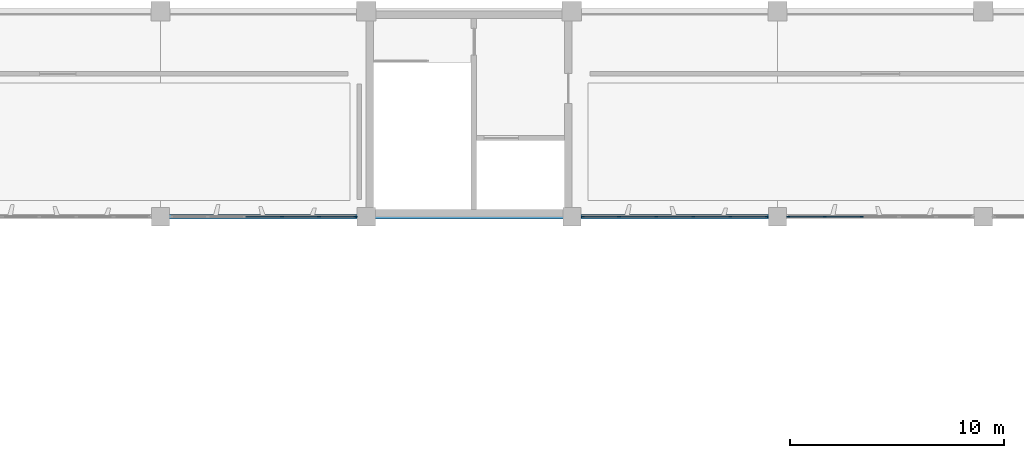
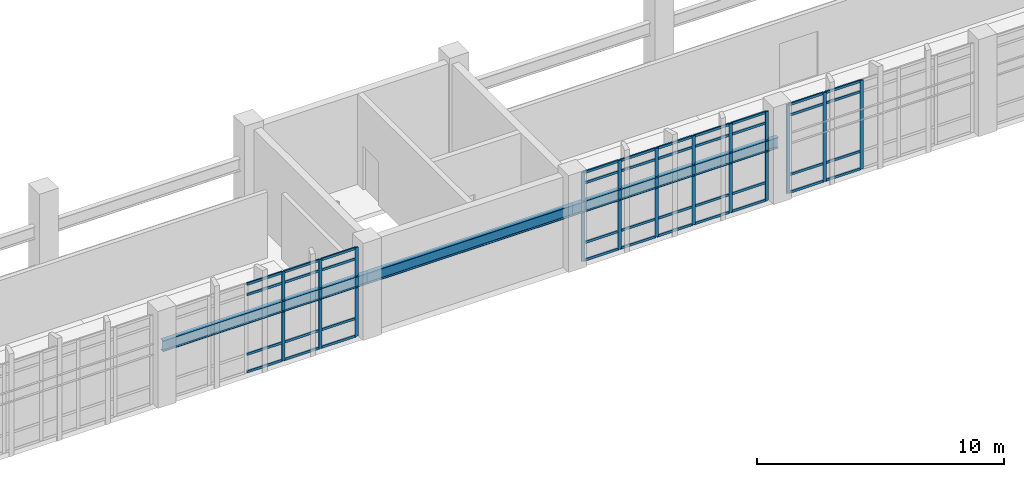
# One storey, part 28 of 86: 52 members, 3 beams, 3 elements without a shape of their own.
"""IFC4 building model written with IfcOpenShell, lengths in metres."""

from ifc_helpers import new_model, si_unit, direction, frame, origin, origin_2d, place, context, subcontext, project, spatial, rectangle, i_section, extrude, material, layer, layer_set, material_profile, profile_set, type_object, element, aggregate, save


model = new_model("IFC4")

# Units and contexts
model_context = context("Model", 3, precision=1e-05, world=origin(), true_north=direction((0.0, 1.0)))
body_context = subcontext(model_context, "Body", "Model", "MODEL_VIEW")
ifc_project = project(units=[si_unit("LENGTHUNIT", "METRE"), si_unit("AREAUNIT", "SQUARE_METRE"), si_unit("VOLUMEUNIT", "CUBIC_METRE"), si_unit("PLANEANGLEUNIT", "RADIAN"), si_unit("MASSUNIT", "GRAM", prefix="KILO")], contexts=[model_context])

# Site, building, storey
site_placement = place(None, origin())
site = spatial("IfcSite", under=ifc_project, at=site_placement, CompositionType="ELEMENT")
building_placement = place(site_placement, origin())
building = spatial("IfcBuilding", under=site, at=building_placement, Name="Kolvemor Railside Polytechnic", CompositionType="ELEMENT")
storey_placement = place(building_placement, frame((0.0, 0.0, 5.39990234375)))
storey = spatial("IfcBuildingStorey", under=building, at=storey_placement, Name="L01", CompositionType="ELEMENT", Elevation=5.39990234375)

# Beams
ifc_material_1 = material(Name="Steel S355", Category="steel")
ifc_material_profile_1 = material_profile(ifc_material_1, i_section(OverallWidth=0.2109375, OverallDepth=0.5390625, WebThickness=0.01171875, FlangeThickness=0.018798828125, FilletRadius=0.013916015625, at=origin_2d()), Name="W530x109")
ifc_profile_set_1 = profile_set([ifc_material_profile_1], Name="Steel S355")
beam_type = type_object("IfcBeamType", Name="BM-ST-CRANE2", PredefinedType="BEAM", material=ifc_profile_set_1)
beam_placement = place(storey_placement, frame((76.800048828125, 91.199951171875, 2.730712890625), z_axis=(1.0, 0.0, 0.0), x_axis=(0.0, 1.0, 0.0)))
element("IfcBeam", 1, at=beam_placement, inside=storey, type_object=beam_type, Name="Workshop Header Steel Girder CRG-G07", PredefinedType="BEAM", context=body_context, shape_type="SweptSolid", body=[
    extrude(i_section(OverallWidth=0.2109375, OverallDepth=0.5390625, WebThickness=0.01171875, FlangeThickness=0.018798828125, FilletRadius=0.013916015625, at=origin_2d()), origin(), (0.0, 0.0, 1.0), 9.599853515625),
])
for number, where, z_axis, x_axis, name in (
    (2, (86.39990234375, 91.199951171875, 2.730712890625), (1.0, 0.0, 0.0), (0.0, 1.0, 0.0), "Workshop Header Steel Girder CRG-G08"),
    (3, (96.0, 91.199951171875, 2.730712890625), (1.0, 0.0, 0.0), (0.0, 1.0, 0.0), "Workshop Header Steel Girder CRG-G09"),
):
    element("IfcBeam", number, at=place(storey_placement, frame(where, z_axis=z_axis, x_axis=x_axis)), inside=storey, type_object=beam_type, Name=name, PredefinedType="BEAM", context=body_context, shape_type="SweptSolid", body=[
        extrude(i_section(OverallWidth=0.2109375, OverallDepth=0.5390625, WebThickness=0.01171875, FlangeThickness=0.018798828125, FilletRadius=0.013916015625, at=origin_2d()), origin(), (0.0, 0.0, 1.0), 9.60009765625),
    ])

# Curtain wall, members
ifc_material_2 = material(Name="Anodised marine aluminium and laminated low-E glass", Category="aluminium")
ifc_layer = layer(ifc_material_2, 0.179931640625, Name="CW-UNIT-WKS")
ifc_layer_set = layer_set([ifc_layer], Name="Anodised marine aluminium and laminated low-E glass")
curtain_wall_type = type_object("IfcCurtainWallType", Name="CW-UNIT-WKS", PredefinedType="USERDEFINED", material=ifc_layer_set)
curtain_wall_1_placement = place(storey_placement, origin())
curtain_wall_1 = element("IfcCurtainWall", 4, at=curtain_wall_1_placement, inside=storey, type_object=curtain_wall_type, Name="Curtain Wall L01-014", ObjectType="UNITISED CURTAIN WALL", PredefinedType="USERDEFINED")
ifc_material_3 = material(Name="Anodised marine aluminium 6063-T6", Category="aluminium")
ifc_material_profile_2 = material_profile(ifc_material_3, rectangle(XDim=0.06494140625, YDim=0.14990234375, at=origin_2d()), Name="CW-MUL-65x150")
ifc_profile_set_2 = profile_set([ifc_material_profile_2], Name="Anodised marine aluminium 6063-T6")
member_type_1 = type_object("IfcMemberType", Name="CWM-65x150", PredefinedType="MULLION", material=ifc_profile_set_2)
member_1_placement = place(storey_placement, frame((82.466064453125, 91.199951171875, 0.0), z_axis=(0.0, 0.0, 1.0), x_axis=(0.0, 1.0, 0.0)))
member_1 = element("IfcMember", 5, at=member_1_placement, type_object=member_type_1, Name="CW-WKS mullion 4", PredefinedType="MULLION", context=body_context, shape_type="SweptSolid", body=[
    extrude(rectangle(XDim=0.06494140625, YDim=0.14990234375, at=origin_2d()), origin(), (0.0, 0.0, 1.0), 4.400146484375),
])
member_2_placement = place(storey_placement, frame((84.197998046875, 91.199951171875, 0.0), z_axis=(0.0, 0.0, 1.0), x_axis=(0.0, 1.0, 0.0)))
member_2 = element("IfcMember", 6, at=member_2_placement, type_object=member_type_1, Name="CW-WKS mullion 5", PredefinedType="MULLION", context=body_context, shape_type="SweptSolid", body=[
    extrude(rectangle(XDim=0.06494140625, YDim=0.14990234375, at=origin_2d()), origin(), (0.0, 0.0, 1.0), 4.400146484375),
])
member_3_placement = place(storey_placement, frame((85.8974609375, 91.199951171875, 0.0), z_axis=(0.0, 0.0, 1.0), x_axis=(0.0, 1.0, 0.0)))
member_3 = element("IfcMember", 7, at=member_3_placement, type_object=member_type_1, Name="CW-WKS mullion 6", PredefinedType="MULLION", context=body_context, shape_type="SweptSolid", body=[
    extrude(rectangle(XDim=0.06494140625, YDim=0.14990234375, at=origin_2d()), origin(), (0.0, 0.0, 1.0), 4.400146484375),
])

curtain_wall_2_placement = place(storey_placement, origin())
curtain_wall_2 = element("IfcCurtainWall", 8, at=curtain_wall_2_placement, inside=storey, type_object=curtain_wall_type, Name="Curtain Wall L01-018", ObjectType="UNITISED CURTAIN WALL", PredefinedType="USERDEFINED")
member_4_placement = place(storey_placement, frame((96.50244140625, 91.199951171875, 0.0), z_axis=(0.0, 0.0, 1.0), x_axis=(0.0, 1.0, 0.0)))
member_4 = element("IfcMember", 9, at=member_4_placement, type_object=member_type_1, Name="CW-WKS mullion 1", PredefinedType="MULLION", context=body_context, shape_type="SweptSolid", body=[
    extrude(rectangle(XDim=0.06494140625, YDim=0.14990234375, at=origin_2d()), origin(), (0.0, 0.0, 1.0), 4.400146484375),
])
member_5_placement = place(storey_placement, frame((98.201904296875, 91.199951171875, 0.0), z_axis=(0.0, 0.0, 1.0), x_axis=(0.0, 1.0, 0.0)))
member_5 = element("IfcMember", 10, at=member_5_placement, type_object=member_type_1, Name="CW-WKS mullion 2", PredefinedType="MULLION", context=body_context, shape_type="SweptSolid", body=[
    extrude(rectangle(XDim=0.06494140625, YDim=0.14990234375, at=origin_2d()), origin(), (0.0, 0.0, 1.0), 4.400146484375),
])
member_6_placement = place(storey_placement, frame((99.93408203125, 91.199951171875, 0.0), z_axis=(0.0, 0.0, 1.0), x_axis=(0.0, 1.0, 0.0)))
member_6 = element("IfcMember", 11, at=member_6_placement, type_object=member_type_1, Name="CW-WKS mullion 3", PredefinedType="MULLION", context=body_context, shape_type="SweptSolid", body=[
    extrude(rectangle(XDim=0.06494140625, YDim=0.14990234375, at=origin_2d()), origin(), (0.0, 0.0, 1.0), 4.400146484375),
])
member_7_placement = place(storey_placement, frame((101.666015625, 91.199951171875, 0.0), z_axis=(0.0, 0.0, 1.0), x_axis=(0.0, 1.0, 0.0)))
member_7 = element("IfcMember", 12, at=member_7_placement, type_object=member_type_1, Name="CW-WKS mullion 4", PredefinedType="MULLION", context=body_context, shape_type="SweptSolid", body=[
    extrude(rectangle(XDim=0.06494140625, YDim=0.14990234375, at=origin_2d()), origin(), (0.0, 0.0, 1.0), 4.400146484375),
])
member_8_placement = place(storey_placement, frame((103.39794921875, 91.199951171875, 0.0), z_axis=(0.0, 0.0, 1.0), x_axis=(0.0, 1.0, 0.0)))
member_8 = element("IfcMember", 13, at=member_8_placement, type_object=member_type_1, Name="CW-WKS mullion 5", PredefinedType="MULLION", context=body_context, shape_type="SweptSolid", body=[
    extrude(rectangle(XDim=0.06494140625, YDim=0.14990234375, at=origin_2d()), origin(), (0.0, 0.0, 1.0), 4.400146484375),
])
member_9_placement = place(storey_placement, frame((105.097412109375, 91.199951171875, 0.0), z_axis=(0.0, 0.0, 1.0), x_axis=(0.0, 1.0, 0.0)))
member_9 = element("IfcMember", 14, at=member_9_placement, type_object=member_type_1, Name="CW-WKS mullion 6", PredefinedType="MULLION", context=body_context, shape_type="SweptSolid", body=[
    extrude(rectangle(XDim=0.06494140625, YDim=0.14990234375, at=origin_2d()), origin(), (0.0, 0.0, 1.0), 4.400146484375),
])

curtain_wall_3_placement = place(storey_placement, origin())
curtain_wall_3 = element("IfcCurtainWall", 15, at=curtain_wall_3_placement, inside=storey, type_object=curtain_wall_type, Name="Curtain Wall L01-021", ObjectType="UNITISED CURTAIN WALL", PredefinedType="USERDEFINED")
member_10_placement = place(storey_placement, frame((106.1025390625, 91.199951171875, 0.0), z_axis=(0.0, 0.0, 1.0), x_axis=(0.0, 1.0, 0.0)))
member_10 = element("IfcMember", 16, at=member_10_placement, type_object=member_type_1, Name="CW-WKS mullion 1", PredefinedType="MULLION", context=body_context, shape_type="SweptSolid", body=[
    extrude(rectangle(XDim=0.06494140625, YDim=0.14990234375, at=origin_2d()), origin(), (0.0, 0.0, 1.0), 4.400146484375),
])
member_11_placement = place(storey_placement, frame((107.802001953125, 91.199951171875, 0.0), z_axis=(0.0, 0.0, 1.0), x_axis=(0.0, 1.0, 0.0)))
member_11 = element("IfcMember", 17, at=member_11_placement, type_object=member_type_1, Name="CW-WKS mullion 2", PredefinedType="MULLION", context=body_context, shape_type="SweptSolid", body=[
    extrude(rectangle(XDim=0.06494140625, YDim=0.14990234375, at=origin_2d()), origin(), (0.0, 0.0, 1.0), 4.400146484375),
])
member_12_placement = place(storey_placement, frame((109.533935546875, 91.199951171875, 0.0), z_axis=(0.0, 0.0, 1.0), x_axis=(0.0, 1.0, 0.0)))
member_12 = element("IfcMember", 18, at=member_12_placement, type_object=member_type_1, Name="CW-WKS mullion 3", PredefinedType="MULLION", context=body_context, shape_type="SweptSolid", body=[
    extrude(rectangle(XDim=0.06494140625, YDim=0.14990234375, at=origin_2d()), origin(), (0.0, 0.0, 1.0), 4.400146484375),
])

# Member
ifc_material_4 = material(Name="Anodised marine aluminium 6063-T6", Category="aluminium")
ifc_material_profile_3 = material_profile(ifc_material_4, rectangle(XDim=0.06494140625, YDim=0.1201171875, at=origin_2d()), Name="CW-TRN-65x120")
ifc_profile_set_3 = profile_set([ifc_material_profile_3], Name="Anodised marine aluminium 6063-T6")
member_type_2 = type_object("IfcMemberType", Name="CWT-65x120", PredefinedType="USERDEFINED", material=ifc_profile_set_3)
member_13_placement = place(storey_placement, frame((80.7666015625, 91.199951171875, 0.03271484375), z_axis=(1.0, 0.0, 0.0), x_axis=(0.0, 1.0, 0.0)))
member_13 = element("IfcMember", 19, at=member_13_placement, type_object=member_type_2, Name="CW-WKS transom 3.1", ObjectType="TRANSOM", PredefinedType="USERDEFINED", context=body_context, shape_type="SweptSolid", body=[
    extrude(rectangle(XDim=0.06494140625, YDim=0.1201171875, at=origin_2d()), origin(), (0.0, 0.0, 1.0), 1.6669921875),
])

member_14_placement = place(storey_placement, frame((80.7666015625, 91.199951171875, 0.900146484375), z_axis=(1.0, 0.0, 0.0), x_axis=(0.0, 1.0, 0.0)))
member_14 = element("IfcMember", 20, at=member_14_placement, type_object=member_type_2, Name="CW-WKS transom 3.2", ObjectType="TRANSOM", PredefinedType="USERDEFINED", context=body_context, shape_type="SweptSolid", body=[
    extrude(rectangle(XDim=0.06494140625, YDim=0.1201171875, at=origin_2d()), origin(), (0.0, 0.0, 1.0), 1.6669921875),
])

member_15_placement = place(storey_placement, frame((80.7666015625, 91.199951171875, 3.85009765625), z_axis=(1.0, 0.0, 0.0), x_axis=(0.0, 1.0, 0.0)))
member_15 = element("IfcMember", 21, at=member_15_placement, type_object=member_type_2, Name="CW-WKS transom 3.3", ObjectType="TRANSOM", PredefinedType="USERDEFINED", context=body_context, shape_type="SweptSolid", body=[
    extrude(rectangle(XDim=0.06494140625, YDim=0.1201171875, at=origin_2d()), origin(), (0.0, 0.0, 1.0), 1.6669921875),
])

member_16_placement = place(storey_placement, frame((80.7666015625, 91.199951171875, 4.36767578125), z_axis=(1.0, 0.0, 0.0), x_axis=(0.0, 1.0, 0.0)))
member_16 = element("IfcMember", 22, at=member_16_placement, type_object=member_type_2, Name="CW-WKS transom 3.4", ObjectType="TRANSOM", PredefinedType="USERDEFINED", context=body_context, shape_type="SweptSolid", body=[
    extrude(rectangle(XDim=0.06494140625, YDim=0.1201171875, at=origin_2d()), origin(), (0.0, 0.0, 1.0), 1.6669921875),
])

member_17_placement = place(storey_placement, frame((82.49853515625, 91.199951171875, 0.03271484375), z_axis=(1.0, 0.0, 0.0), x_axis=(0.0, 1.0, 0.0)))
member_17 = element("IfcMember", 23, at=member_17_placement, type_object=member_type_2, Name="CW-WKS transom 4.1", ObjectType="TRANSOM", PredefinedType="USERDEFINED", context=body_context, shape_type="SweptSolid", body=[
    extrude(rectangle(XDim=0.06494140625, YDim=0.1201171875, at=origin_2d()), origin(), (0.0, 0.0, 1.0), 1.6669921875),
])

member_18_placement = place(storey_placement, frame((82.49853515625, 91.199951171875, 0.900146484375), z_axis=(1.0, 0.0, 0.0), x_axis=(0.0, 1.0, 0.0)))
member_18 = element("IfcMember", 24, at=member_18_placement, type_object=member_type_2, Name="CW-WKS transom 4.2", ObjectType="TRANSOM", PredefinedType="USERDEFINED", context=body_context, shape_type="SweptSolid", body=[
    extrude(rectangle(XDim=0.06494140625, YDim=0.1201171875, at=origin_2d()), origin(), (0.0, 0.0, 1.0), 1.6669921875),
])

member_19_placement = place(storey_placement, frame((82.49853515625, 91.199951171875, 3.85009765625), z_axis=(1.0, 0.0, 0.0), x_axis=(0.0, 1.0, 0.0)))
member_19 = element("IfcMember", 25, at=member_19_placement, type_object=member_type_2, Name="CW-WKS transom 4.3", ObjectType="TRANSOM", PredefinedType="USERDEFINED", context=body_context, shape_type="SweptSolid", body=[
    extrude(rectangle(XDim=0.06494140625, YDim=0.1201171875, at=origin_2d()), origin(), (0.0, 0.0, 1.0), 1.6669921875),
])

member_20_placement = place(storey_placement, frame((82.49853515625, 91.199951171875, 4.36767578125), z_axis=(1.0, 0.0, 0.0), x_axis=(0.0, 1.0, 0.0)))
member_20 = element("IfcMember", 26, at=member_20_placement, type_object=member_type_2, Name="CW-WKS transom 4.4", ObjectType="TRANSOM", PredefinedType="USERDEFINED", context=body_context, shape_type="SweptSolid", body=[
    extrude(rectangle(XDim=0.06494140625, YDim=0.1201171875, at=origin_2d()), origin(), (0.0, 0.0, 1.0), 1.6669921875),
])

member_21_placement = place(storey_placement, frame((84.23046875, 91.199951171875, 0.03271484375), z_axis=(1.0, 0.0, 0.0), x_axis=(0.0, 1.0, 0.0)))
member_21 = element("IfcMember", 27, at=member_21_placement, type_object=member_type_2, Name="CW-WKS transom 5.1", ObjectType="TRANSOM", PredefinedType="USERDEFINED", context=body_context, shape_type="SweptSolid", body=[
    extrude(rectangle(XDim=0.06494140625, YDim=0.1201171875, at=origin_2d()), origin(), (0.0, 0.0, 1.0), 1.634521484375),
])

member_22_placement = place(storey_placement, frame((84.23046875, 91.199951171875, 0.900146484375), z_axis=(1.0, 0.0, 0.0), x_axis=(0.0, 1.0, 0.0)))
member_22 = element("IfcMember", 28, at=member_22_placement, type_object=member_type_2, Name="CW-WKS transom 5.2", ObjectType="TRANSOM", PredefinedType="USERDEFINED", context=body_context, shape_type="SweptSolid", body=[
    extrude(rectangle(XDim=0.06494140625, YDim=0.1201171875, at=origin_2d()), origin(), (0.0, 0.0, 1.0), 1.634521484375),
])

member_23_placement = place(storey_placement, frame((84.23046875, 91.199951171875, 3.85009765625), z_axis=(1.0, 0.0, 0.0), x_axis=(0.0, 1.0, 0.0)))
member_23 = element("IfcMember", 29, at=member_23_placement, type_object=member_type_2, Name="CW-WKS transom 5.3", ObjectType="TRANSOM", PredefinedType="USERDEFINED", context=body_context, shape_type="SweptSolid", body=[
    extrude(rectangle(XDim=0.06494140625, YDim=0.1201171875, at=origin_2d()), origin(), (0.0, 0.0, 1.0), 1.634521484375),
])

member_24_placement = place(storey_placement, frame((84.23046875, 91.199951171875, 4.36767578125), z_axis=(1.0, 0.0, 0.0), x_axis=(0.0, 1.0, 0.0)))
member_24 = element("IfcMember", 30, at=member_24_placement, type_object=member_type_2, Name="CW-WKS transom 5.4", ObjectType="TRANSOM", PredefinedType="USERDEFINED", context=body_context, shape_type="SweptSolid", body=[
    extrude(rectangle(XDim=0.06494140625, YDim=0.1201171875, at=origin_2d()), origin(), (0.0, 0.0, 1.0), 1.634521484375),
])

aggregate(curtain_wall_1, [member_1, member_2, member_3, member_13, member_14, member_15, member_16, member_17, member_18, member_19, member_20, member_21, member_22, member_23, member_24])

member_25_placement = place(storey_placement, frame((96.534912109375, 91.199951171875, 0.03271484375), z_axis=(1.0, 0.0, 0.0), x_axis=(0.0, 1.0, 0.0)))
member_25 = element("IfcMember", 31, at=member_25_placement, type_object=member_type_2, Name="CW-WKS transom 1.1", ObjectType="TRANSOM", PredefinedType="USERDEFINED", context=body_context, shape_type="SweptSolid", body=[
    extrude(rectangle(XDim=0.06494140625, YDim=0.1201171875, at=origin_2d()), origin(), (0.0, 0.0, 1.0), 1.634521484375),
])

member_26_placement = place(storey_placement, frame((96.534912109375, 91.199951171875, 0.900146484375), z_axis=(1.0, 0.0, 0.0), x_axis=(0.0, 1.0, 0.0)))
member_26 = element("IfcMember", 32, at=member_26_placement, type_object=member_type_2, Name="CW-WKS transom 1.2", ObjectType="TRANSOM", PredefinedType="USERDEFINED", context=body_context, shape_type="SweptSolid", body=[
    extrude(rectangle(XDim=0.06494140625, YDim=0.1201171875, at=origin_2d()), origin(), (0.0, 0.0, 1.0), 1.634521484375),
])

member_27_placement = place(storey_placement, frame((96.534912109375, 91.199951171875, 3.85009765625), z_axis=(1.0, 0.0, 0.0), x_axis=(0.0, 1.0, 0.0)))
member_27 = element("IfcMember", 33, at=member_27_placement, type_object=member_type_2, Name="CW-WKS transom 1.3", ObjectType="TRANSOM", PredefinedType="USERDEFINED", context=body_context, shape_type="SweptSolid", body=[
    extrude(rectangle(XDim=0.06494140625, YDim=0.1201171875, at=origin_2d()), origin(), (0.0, 0.0, 1.0), 1.634521484375),
])

member_28_placement = place(storey_placement, frame((96.534912109375, 91.199951171875, 4.36767578125), z_axis=(1.0, 0.0, 0.0), x_axis=(0.0, 1.0, 0.0)))
member_28 = element("IfcMember", 34, at=member_28_placement, type_object=member_type_2, Name="CW-WKS transom 1.4", ObjectType="TRANSOM", PredefinedType="USERDEFINED", context=body_context, shape_type="SweptSolid", body=[
    extrude(rectangle(XDim=0.06494140625, YDim=0.1201171875, at=origin_2d()), origin(), (0.0, 0.0, 1.0), 1.634521484375),
])

member_29_placement = place(storey_placement, frame((98.234619140625, 91.199951171875, 0.03271484375), z_axis=(1.0, 0.0, 0.0), x_axis=(0.0, 1.0, 0.0)))
member_29 = element("IfcMember", 35, at=member_29_placement, type_object=member_type_2, Name="CW-WKS transom 2.1", ObjectType="TRANSOM", PredefinedType="USERDEFINED", context=body_context, shape_type="SweptSolid", body=[
    extrude(rectangle(XDim=0.06494140625, YDim=0.1201171875, at=origin_2d()), origin(), (0.0, 0.0, 1.0), 1.6669921875),
])

member_30_placement = place(storey_placement, frame((98.234619140625, 91.199951171875, 0.900146484375), z_axis=(1.0, 0.0, 0.0), x_axis=(0.0, 1.0, 0.0)))
member_30 = element("IfcMember", 36, at=member_30_placement, type_object=member_type_2, Name="CW-WKS transom 2.2", ObjectType="TRANSOM", PredefinedType="USERDEFINED", context=body_context, shape_type="SweptSolid", body=[
    extrude(rectangle(XDim=0.06494140625, YDim=0.1201171875, at=origin_2d()), origin(), (0.0, 0.0, 1.0), 1.6669921875),
])

member_31_placement = place(storey_placement, frame((98.234619140625, 91.199951171875, 3.85009765625), z_axis=(1.0, 0.0, 0.0), x_axis=(0.0, 1.0, 0.0)))
member_31 = element("IfcMember", 37, at=member_31_placement, type_object=member_type_2, Name="CW-WKS transom 2.3", ObjectType="TRANSOM", PredefinedType="USERDEFINED", context=body_context, shape_type="SweptSolid", body=[
    extrude(rectangle(XDim=0.06494140625, YDim=0.1201171875, at=origin_2d()), origin(), (0.0, 0.0, 1.0), 1.6669921875),
])

member_32_placement = place(storey_placement, frame((98.234619140625, 91.199951171875, 4.36767578125), z_axis=(1.0, 0.0, 0.0), x_axis=(0.0, 1.0, 0.0)))
member_32 = element("IfcMember", 38, at=member_32_placement, type_object=member_type_2, Name="CW-WKS transom 2.4", ObjectType="TRANSOM", PredefinedType="USERDEFINED", context=body_context, shape_type="SweptSolid", body=[
    extrude(rectangle(XDim=0.06494140625, YDim=0.1201171875, at=origin_2d()), origin(), (0.0, 0.0, 1.0), 1.6669921875),
])

member_33_placement = place(storey_placement, frame((99.966552734375, 91.199951171875, 0.03271484375), z_axis=(1.0, 0.0, 0.0), x_axis=(0.0, 1.0, 0.0)))
member_33 = element("IfcMember", 39, at=member_33_placement, type_object=member_type_2, Name="CW-WKS transom 3.1", ObjectType="TRANSOM", PredefinedType="USERDEFINED", context=body_context, shape_type="SweptSolid", body=[
    extrude(rectangle(XDim=0.06494140625, YDim=0.1201171875, at=origin_2d()), origin(), (0.0, 0.0, 1.0), 1.6669921875),
])

member_34_placement = place(storey_placement, frame((99.966552734375, 91.199951171875, 0.900146484375), z_axis=(1.0, 0.0, 0.0), x_axis=(0.0, 1.0, 0.0)))
member_34 = element("IfcMember", 40, at=member_34_placement, type_object=member_type_2, Name="CW-WKS transom 3.2", ObjectType="TRANSOM", PredefinedType="USERDEFINED", context=body_context, shape_type="SweptSolid", body=[
    extrude(rectangle(XDim=0.06494140625, YDim=0.1201171875, at=origin_2d()), origin(), (0.0, 0.0, 1.0), 1.6669921875),
])

member_35_placement = place(storey_placement, frame((99.966552734375, 91.199951171875, 3.85009765625), z_axis=(1.0, 0.0, 0.0), x_axis=(0.0, 1.0, 0.0)))
member_35 = element("IfcMember", 41, at=member_35_placement, type_object=member_type_2, Name="CW-WKS transom 3.3", ObjectType="TRANSOM", PredefinedType="USERDEFINED", context=body_context, shape_type="SweptSolid", body=[
    extrude(rectangle(XDim=0.06494140625, YDim=0.1201171875, at=origin_2d()), origin(), (0.0, 0.0, 1.0), 1.6669921875),
])

member_36_placement = place(storey_placement, frame((99.966552734375, 91.199951171875, 4.36767578125), z_axis=(1.0, 0.0, 0.0), x_axis=(0.0, 1.0, 0.0)))
member_36 = element("IfcMember", 42, at=member_36_placement, type_object=member_type_2, Name="CW-WKS transom 3.4", ObjectType="TRANSOM", PredefinedType="USERDEFINED", context=body_context, shape_type="SweptSolid", body=[
    extrude(rectangle(XDim=0.06494140625, YDim=0.1201171875, at=origin_2d()), origin(), (0.0, 0.0, 1.0), 1.6669921875),
])

member_37_placement = place(storey_placement, frame((101.698486328125, 91.199951171875, 0.03271484375), z_axis=(1.0, 0.0, 0.0), x_axis=(0.0, 1.0, 0.0)))
member_37 = element("IfcMember", 43, at=member_37_placement, type_object=member_type_2, Name="CW-WKS transom 4.1", ObjectType="TRANSOM", PredefinedType="USERDEFINED", context=body_context, shape_type="SweptSolid", body=[
    extrude(rectangle(XDim=0.06494140625, YDim=0.1201171875, at=origin_2d()), origin(), (0.0, 0.0, 1.0), 1.6669921875),
])

member_38_placement = place(storey_placement, frame((101.698486328125, 91.199951171875, 0.900146484375), z_axis=(1.0, 0.0, 0.0), x_axis=(0.0, 1.0, 0.0)))
member_38 = element("IfcMember", 44, at=member_38_placement, type_object=member_type_2, Name="CW-WKS transom 4.2", ObjectType="TRANSOM", PredefinedType="USERDEFINED", context=body_context, shape_type="SweptSolid", body=[
    extrude(rectangle(XDim=0.06494140625, YDim=0.1201171875, at=origin_2d()), origin(), (0.0, 0.0, 1.0), 1.6669921875),
])

member_39_placement = place(storey_placement, frame((101.698486328125, 91.199951171875, 3.85009765625), z_axis=(1.0, 0.0, 0.0), x_axis=(0.0, 1.0, 0.0)))
member_39 = element("IfcMember", 45, at=member_39_placement, type_object=member_type_2, Name="CW-WKS transom 4.3", ObjectType="TRANSOM", PredefinedType="USERDEFINED", context=body_context, shape_type="SweptSolid", body=[
    extrude(rectangle(XDim=0.06494140625, YDim=0.1201171875, at=origin_2d()), origin(), (0.0, 0.0, 1.0), 1.6669921875),
])

member_40_placement = place(storey_placement, frame((101.698486328125, 91.199951171875, 4.36767578125), z_axis=(1.0, 0.0, 0.0), x_axis=(0.0, 1.0, 0.0)))
member_40 = element("IfcMember", 46, at=member_40_placement, type_object=member_type_2, Name="CW-WKS transom 4.4", ObjectType="TRANSOM", PredefinedType="USERDEFINED", context=body_context, shape_type="SweptSolid", body=[
    extrude(rectangle(XDim=0.06494140625, YDim=0.1201171875, at=origin_2d()), origin(), (0.0, 0.0, 1.0), 1.6669921875),
])

member_41_placement = place(storey_placement, frame((103.430419921875, 91.199951171875, 0.03271484375), z_axis=(1.0, 0.0, 0.0), x_axis=(0.0, 1.0, 0.0)))
member_41 = element("IfcMember", 47, at=member_41_placement, type_object=member_type_2, Name="CW-WKS transom 5.1", ObjectType="TRANSOM", PredefinedType="USERDEFINED", context=body_context, shape_type="SweptSolid", body=[
    extrude(rectangle(XDim=0.06494140625, YDim=0.1201171875, at=origin_2d()), origin(), (0.0, 0.0, 1.0), 1.634521484375),
])

member_42_placement = place(storey_placement, frame((103.430419921875, 91.199951171875, 0.900146484375), z_axis=(1.0, 0.0, 0.0), x_axis=(0.0, 1.0, 0.0)))
member_42 = element("IfcMember", 48, at=member_42_placement, type_object=member_type_2, Name="CW-WKS transom 5.2", ObjectType="TRANSOM", PredefinedType="USERDEFINED", context=body_context, shape_type="SweptSolid", body=[
    extrude(rectangle(XDim=0.06494140625, YDim=0.1201171875, at=origin_2d()), origin(), (0.0, 0.0, 1.0), 1.634521484375),
])

member_43_placement = place(storey_placement, frame((103.430419921875, 91.199951171875, 3.85009765625), z_axis=(1.0, 0.0, 0.0), x_axis=(0.0, 1.0, 0.0)))
member_43 = element("IfcMember", 49, at=member_43_placement, type_object=member_type_2, Name="CW-WKS transom 5.3", ObjectType="TRANSOM", PredefinedType="USERDEFINED", context=body_context, shape_type="SweptSolid", body=[
    extrude(rectangle(XDim=0.06494140625, YDim=0.1201171875, at=origin_2d()), origin(), (0.0, 0.0, 1.0), 1.634521484375),
])

member_44_placement = place(storey_placement, frame((103.430419921875, 91.199951171875, 4.36767578125), z_axis=(1.0, 0.0, 0.0), x_axis=(0.0, 1.0, 0.0)))
member_44 = element("IfcMember", 50, at=member_44_placement, type_object=member_type_2, Name="CW-WKS transom 5.4", ObjectType="TRANSOM", PredefinedType="USERDEFINED", context=body_context, shape_type="SweptSolid", body=[
    extrude(rectangle(XDim=0.06494140625, YDim=0.1201171875, at=origin_2d()), origin(), (0.0, 0.0, 1.0), 1.634521484375),
])

aggregate(curtain_wall_2, [member_4, member_5, member_6, member_7, member_8, member_9, member_25, member_26, member_27, member_28, member_29, member_30, member_31, member_32, member_33, member_34, member_35, member_36, member_37, member_38, member_39, member_40, member_41, member_42, member_43, member_44])

member_45_placement = place(storey_placement, frame((106.135009765625, 91.199951171875, 0.03271484375), z_axis=(1.0, 0.0, 0.0), x_axis=(0.0, 1.0, 0.0)))
member_45 = element("IfcMember", 51, at=member_45_placement, type_object=member_type_2, Name="CW-WKS transom 1.1", ObjectType="TRANSOM", PredefinedType="USERDEFINED", context=body_context, shape_type="SweptSolid", body=[
    extrude(rectangle(XDim=0.06494140625, YDim=0.1201171875, at=origin_2d()), origin(), (0.0, 0.0, 1.0), 1.634521484375),
])

member_46_placement = place(storey_placement, frame((106.135009765625, 91.199951171875, 0.900146484375), z_axis=(1.0, 0.0, 0.0), x_axis=(0.0, 1.0, 0.0)))
member_46 = element("IfcMember", 52, at=member_46_placement, type_object=member_type_2, Name="CW-WKS transom 1.2", ObjectType="TRANSOM", PredefinedType="USERDEFINED", context=body_context, shape_type="SweptSolid", body=[
    extrude(rectangle(XDim=0.06494140625, YDim=0.1201171875, at=origin_2d()), origin(), (0.0, 0.0, 1.0), 1.634521484375),
])

member_47_placement = place(storey_placement, frame((106.135009765625, 91.199951171875, 3.85009765625), z_axis=(1.0, 0.0, 0.0), x_axis=(0.0, 1.0, 0.0)))
member_47 = element("IfcMember", 53, at=member_47_placement, type_object=member_type_2, Name="CW-WKS transom 1.3", ObjectType="TRANSOM", PredefinedType="USERDEFINED", context=body_context, shape_type="SweptSolid", body=[
    extrude(rectangle(XDim=0.06494140625, YDim=0.1201171875, at=origin_2d()), origin(), (0.0, 0.0, 1.0), 1.634521484375),
])

member_48_placement = place(storey_placement, frame((106.135009765625, 91.199951171875, 4.36767578125), z_axis=(1.0, 0.0, 0.0), x_axis=(0.0, 1.0, 0.0)))
member_48 = element("IfcMember", 54, at=member_48_placement, type_object=member_type_2, Name="CW-WKS transom 1.4", ObjectType="TRANSOM", PredefinedType="USERDEFINED", context=body_context, shape_type="SweptSolid", body=[
    extrude(rectangle(XDim=0.06494140625, YDim=0.1201171875, at=origin_2d()), origin(), (0.0, 0.0, 1.0), 1.634521484375),
])

member_49_placement = place(storey_placement, frame((107.83447265625, 91.199951171875, 0.03271484375), z_axis=(1.0, 0.0, 0.0), x_axis=(0.0, 1.0, 0.0)))
member_49 = element("IfcMember", 55, at=member_49_placement, type_object=member_type_2, Name="CW-WKS transom 2.1", ObjectType="TRANSOM", PredefinedType="USERDEFINED", context=body_context, shape_type="SweptSolid", body=[
    extrude(rectangle(XDim=0.06494140625, YDim=0.1201171875, at=origin_2d()), origin(), (0.0, 0.0, 1.0), 1.6669921875),
])

member_50_placement = place(storey_placement, frame((107.83447265625, 91.199951171875, 0.900146484375), z_axis=(1.0, 0.0, 0.0), x_axis=(0.0, 1.0, 0.0)))
member_50 = element("IfcMember", 56, at=member_50_placement, type_object=member_type_2, Name="CW-WKS transom 2.2", ObjectType="TRANSOM", PredefinedType="USERDEFINED", context=body_context, shape_type="SweptSolid", body=[
    extrude(rectangle(XDim=0.06494140625, YDim=0.1201171875, at=origin_2d()), origin(), (0.0, 0.0, 1.0), 1.6669921875),
])

member_51_placement = place(storey_placement, frame((107.83447265625, 91.199951171875, 3.85009765625), z_axis=(1.0, 0.0, 0.0), x_axis=(0.0, 1.0, 0.0)))
member_51 = element("IfcMember", 57, at=member_51_placement, type_object=member_type_2, Name="CW-WKS transom 2.3", ObjectType="TRANSOM", PredefinedType="USERDEFINED", context=body_context, shape_type="SweptSolid", body=[
    extrude(rectangle(XDim=0.06494140625, YDim=0.1201171875, at=origin_2d()), origin(), (0.0, 0.0, 1.0), 1.6669921875),
])

member_52_placement = place(storey_placement, frame((107.83447265625, 91.199951171875, 4.36767578125), z_axis=(1.0, 0.0, 0.0), x_axis=(0.0, 1.0, 0.0)))
member_52 = element("IfcMember", 58, at=member_52_placement, type_object=member_type_2, Name="CW-WKS transom 2.4", ObjectType="TRANSOM", PredefinedType="USERDEFINED", context=body_context, shape_type="SweptSolid", body=[
    extrude(rectangle(XDim=0.06494140625, YDim=0.1201171875, at=origin_2d()), origin(), (0.0, 0.0, 1.0), 1.6669921875),
])

aggregate(curtain_wall_3, [member_10, member_11, member_12, member_45, member_46, member_47, member_48, member_49, member_50, member_51, member_52])

save(model, "model.ifc")
